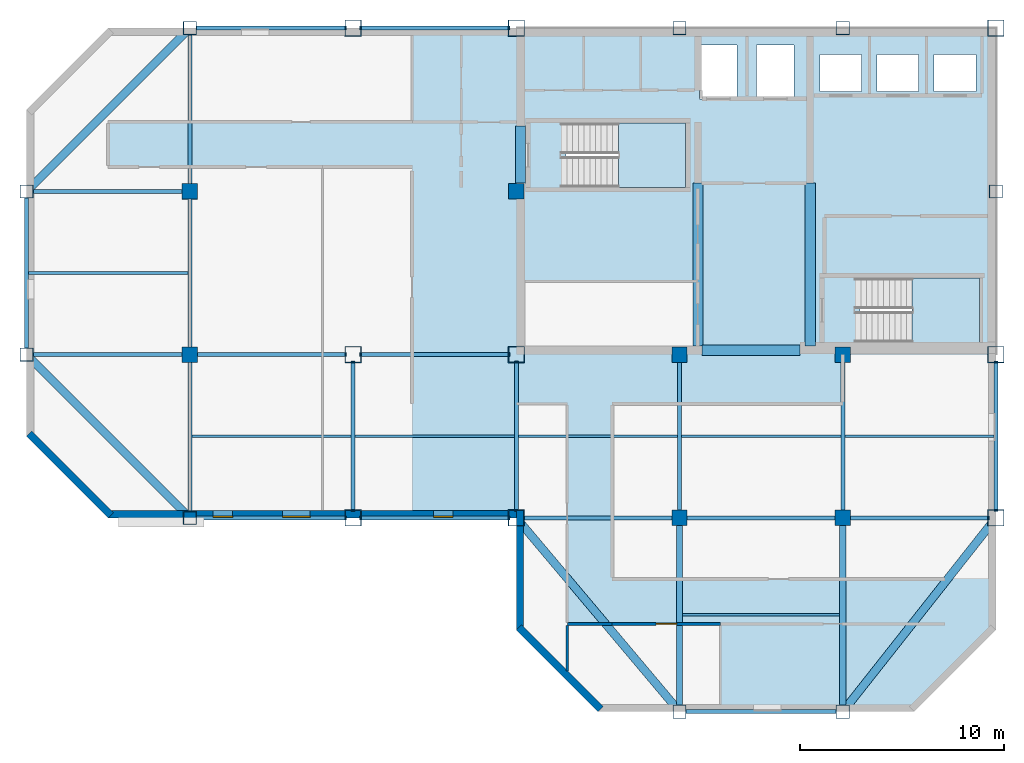
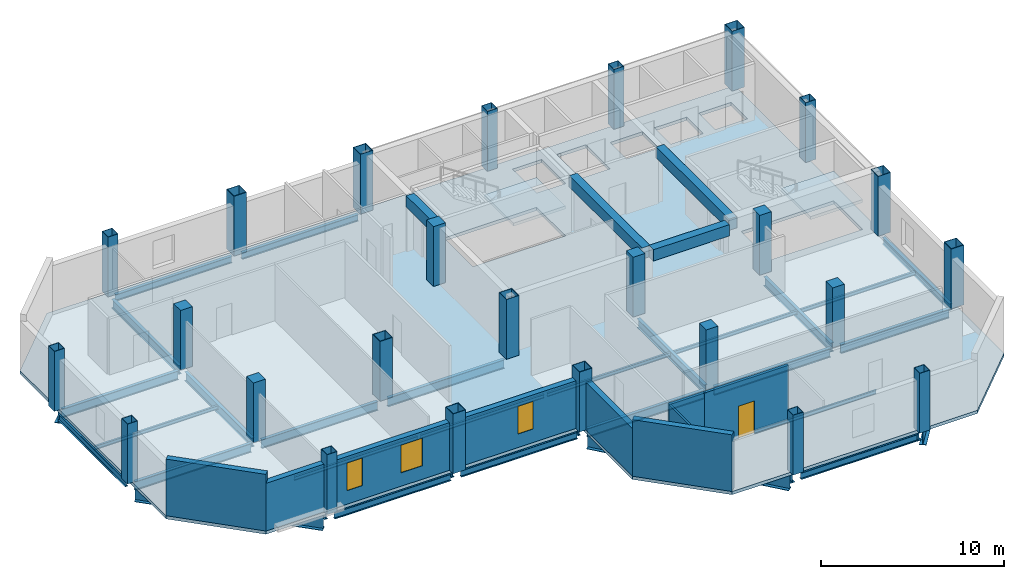
# One storey, part 1 of 6: 38 beams, 25 columns, 7 walls, 3 slabs, 3 windows, 1 door, 4 openings, 2 elements without a shape of their own.
"""IFC4 building model written with IfcOpenShell, lengths in metres."""

from ifc_helpers import new_model, si_unit, direction, frame, frame_2d, origin, origin_2d, place, context, subcontext, project, spatial, polyline, rectangle, hollow_rectangle, i_section, outline, extrude, material, layer, layer_set, material_profile, profile_set, type_object, element, fill, aggregate, save


model = new_model("IFC4")

# Units and contexts
model_context = context("Model", 3, precision=1e-05, world=origin(), true_north=direction((0.0, 1.0)))
body_context = subcontext(model_context, "Body", "Model", "MODEL_VIEW")
ifc_project = project(units=[si_unit("LENGTHUNIT", "METRE"), si_unit("AREAUNIT", "SQUARE_METRE"), si_unit("VOLUMEUNIT", "CUBIC_METRE"), si_unit("PLANEANGLEUNIT", "RADIAN"), si_unit("MASSUNIT", "GRAM", prefix="KILO")], contexts=[model_context])

# Site, building, storey
site_placement = place(None, origin())
site = spatial("IfcSite", under=ifc_project, at=site_placement, CompositionType="ELEMENT")
building_placement = place(site_placement, origin())
building = spatial("IfcBuilding", under=site, at=building_placement, Name="Qianrong Seaharbour Tower", CompositionType="ELEMENT")
storey_placement = place(building_placement, frame((0.0, 0.0, 319.199951171875)))
storey = spatial("IfcBuildingStorey", under=building, at=storey_placement, Name="L77", CompositionType="ELEMENT", Elevation=319.199951171875)

# Columns
ifc_material_1 = material(Name="Structural steel SN490B", Category="steel")
ifc_material_profile_1 = material_profile(ifc_material_1, hollow_rectangle(XDim=0.800048828125, YDim=0.800048828125, WallThickness=0.031982421875, at=origin_2d()), Name="BOX800x800x32")
ifc_profile_set_1 = profile_set([ifc_material_profile_1], Name="Structural steel SN490B")
column_type_1 = type_object("IfcColumnType", Name="COL-CFT-800", PredefinedType="COLUMN", material=ifc_profile_set_1)
for number, where, z_axis, x_axis, name in (
    (1, (32.5, 28.0, 0.0), (0.0, 0.0, 1.0), (1.0, 0.0, 0.0), "L77 Column MC-5 at G5/GE"),
    (2, (32.5, 36.0, 0.0), (0.0, 0.0, 1.0), (1.0, 0.0, 0.0), "L77 Column MC-5 at G5/GF"),
    (3, (32.5, 52.0, 0.0), (0.0, 0.0, 1.0), (1.0, 0.0, 0.0), "L77 Column MC-5 at G5/GH"),
    (4, (40.5, 28.0, 0.0), (0.0, 0.0, 1.0), (1.0, 0.0, 0.0), "L77 Column MC-5 at G6/GE"),
    (5, (40.5, 36.0, 0.0), (0.0, 0.0, 1.0), (1.0, 0.0, 0.0), "L77 Column MC-5 at G6/GF"),
    (6, (40.5, 52.0, 0.0), (0.0, 0.0, 1.0), (1.0, 0.0, 0.0), "L77 Column MC-5 at G6/GH"),
    (7, (64.0, 28.0, 0.0), (0.0, 0.0, 1.0), (1.0, 0.0, 0.0), "L77 Column MC-5 at G9/GE"),
    (8, (64.0, 36.0, 0.0), (0.0, 0.0, 1.0), (1.0, 0.0, 0.0), "L77 Column MC-5 at G9/GF"),
    (9, (64.0, 52.0, 0.0), (0.0, 0.0, 1.0), (1.0, 0.0, 0.0), "L77 Column MC-5 at G9/GH"),
):
    element("IfcColumn", number, at=place(storey_placement, frame(where, z_axis=z_axis, x_axis=x_axis)), inside=storey, type_object=column_type_1, Name=name, PredefinedType="COLUMN", context=body_context, shape_type="SweptSolid", body=[
        extrude(hollow_rectangle(XDim=0.800048828125, YDim=0.800048828125, WallThickness=0.031982421875, at=origin_2d()), origin(), (0.0, 0.0, 1.0), 4.0),
    ])
ifc_material_2 = material(Name="Concrete C50/60", Category="concrete")
ifc_material_profile_2 = material_profile(ifc_material_2, rectangle(XDim=0.75, YDim=0.75, at=origin_2d()), Name="RC750x750")
ifc_profile_set_2 = profile_set([ifc_material_profile_2], Name="Concrete C50/60")
column_type_2 = type_object("IfcColumnType", Name="COL-INT-RC750", PredefinedType="COLUMN", material=ifc_profile_set_2)
for number, where, z_axis, x_axis, name in (
    (10, (24.5, 36.0, 0.0), (0.0, 0.0, 1.0), (1.0, 0.0, 0.0), "L77 Column IC-4 at G4/GF"),
    (11, (24.5, 44.0, 0.0), (0.0, 0.0, 1.0), (1.0, 0.0, 0.0), "L77 Column IC-4 at G4/GG"),
    (12, (40.5, 44.0, 0.0), (0.0, 0.0, 1.0), (1.0, 0.0, 0.0), "L77 Column IC-4 at G6/GG"),
    (13, (48.5, 28.0, 0.0), (0.0, 0.0, 1.0), (1.0, 0.0, 0.0), "L77 Column IC-4 at G7/GE"),
    (14, (48.5, 36.0, 0.0), (0.0, 0.0, 1.0), (1.0, 0.0, 0.0), "L77 Column IC-4 at G7/GF"),
    (15, (56.5, 28.0, 0.0), (0.0, 0.0, 1.0), (1.0, 0.0, 0.0), "L77 Column IC-4 at G8/GE"),
    (16, (56.5, 36.0, 0.0), (0.0, 0.0, 1.0), (1.0, 0.0, 0.0), "L77 Column IC-4 at G8/GF"),
):
    element("IfcColumn", number, at=place(storey_placement, frame(where, z_axis=z_axis, x_axis=x_axis)), inside=storey, type_object=column_type_2, Name=name, PredefinedType="COLUMN", context=body_context, shape_type="SweptSolid", body=[
        extrude(rectangle(XDim=0.75, YDim=0.75, at=origin_2d()), origin(), (0.0, 0.0, 1.0), 4.0),
    ])
ifc_material_3 = material(Name="Structural steel SN400B", Category="steel")
ifc_material_profile_3 = material_profile(ifc_material_3, hollow_rectangle(XDim=0.64990234375, YDim=0.64990234375, WallThickness=0.028076171875, at=origin_2d()), Name="BOX650x650x28")
ifc_profile_set_3 = profile_set([ifc_material_profile_3], Name="Structural steel SN400B")
column_type_3 = type_object("IfcColumnType", Name="COL-PER-650", PredefinedType="COLUMN", material=ifc_profile_set_3)
for number, where, z_axis, x_axis, name in (
    (17, (16.5, 36.0, 0.0), (0.0, 0.0, 1.0), (1.0, 0.0, 0.0), "L77 Column PC-4 at G3/GF"),
    (18, (16.5, 44.0, 0.0), (0.0, 0.0, 1.0), (1.0, 0.0, 0.0), "L77 Column PC-4 at G3/GG"),
    (19, (24.5, 28.0, 0.0), (0.0, 0.0, 1.0), (1.0, 0.0, 0.0), "L77 Column PC-4 at G4/GE"),
    (20, (24.5, 52.0, 0.0), (0.0, 0.0, 1.0), (1.0, 0.0, 0.0), "L77 Column PC-4 at G4/GH"),
    (21, (48.5, 18.5, 0.0), (0.0, 0.0, 1.0), (1.0, 0.0, 0.0), "L77 Column PC-4 at G7/GD"),
    (22, (48.5, 52.0, 0.0), (0.0, 0.0, 1.0), (1.0, 0.0, 0.0), "L77 Column PC-4 at G7/GH"),
    (23, (56.5, 18.5, 0.0), (0.0, 0.0, 1.0), (1.0, 0.0, 0.0), "L77 Column PC-4 at G8/GD"),
    (24, (56.5, 52.0, 0.0), (0.0, 0.0, 1.0), (1.0, 0.0, 0.0), "L77 Column PC-4 at G8/GH"),
    (25, (64.0, 44.0, 0.0), (0.0, 0.0, 1.0), (1.0, 0.0, 0.0), "L77 Column PC-4 at G9/GG"),
):
    element("IfcColumn", number, at=place(storey_placement, frame(where, z_axis=z_axis, x_axis=x_axis)), inside=storey, type_object=column_type_3, Name=name, PredefinedType="COLUMN", context=body_context, shape_type="SweptSolid", body=[
        extrude(hollow_rectangle(XDim=0.64990234375, YDim=0.64990234375, WallThickness=0.028076171875, at=origin_2d()), origin(), (0.0, 0.0, 1.0), 4.0),
    ])

# Beams
ifc_material_profile_4 = material_profile(ifc_material_1, i_section(OverallWidth=0.199951171875, OverallDepth=0.60009765625, WebThickness=0.010986328125, FlangeThickness=0.01708984375, FilletRadius=0.02197265625, at=origin_2d()), Name="H600x200x11x17")
ifc_profile_set_4 = profile_set([ifc_material_profile_4], Name="Structural steel SN490B")
beam_type_1 = type_object("IfcBeamType", Name="BM-G-600", PredefinedType="BEAM", material=ifc_profile_set_4)
for number, where, z_axis, x_axis, name in (
    (26, (40.820068359375, 28.0, -0.514892578125), (1.0, 0.0, 0.0), (0.0, 1.0, 0.0), "L77 Primary Girder GE G6-G7"),
    (27, (48.820068359375, 28.0, -0.514892578125), (1.0, 0.0, 0.0), (0.0, 1.0, 0.0), "L77 Primary Girder GE G7-G8"),
):
    element("IfcBeam", number, at=place(storey_placement, frame(where, z_axis=z_axis, x_axis=x_axis)), inside=storey, type_object=beam_type_1, Name=name, PredefinedType="BEAM", context=body_context, shape_type="SweptSolid", body=[
        extrude(i_section(OverallWidth=0.199951171875, OverallDepth=0.60009765625, WebThickness=0.010986328125, FlangeThickness=0.01708984375, FilletRadius=0.02197265625, at=origin_2d()), origin(), (0.0, 0.0, 1.0), 7.35986328125),
    ])
beam_1_placement = place(storey_placement, frame((56.820068359375, 28.0, -0.514892578125), z_axis=(1.0, 0.0, 0.0), x_axis=(0.0, 1.0, 0.0)))
element("IfcBeam", 28, at=beam_1_placement, inside=storey, type_object=beam_type_1, Name="L77 Primary Girder GE G8-G9", PredefinedType="BEAM", context=body_context, shape_type="SweptSolid", body=[
    extrude(i_section(OverallWidth=0.199951171875, OverallDepth=0.60009765625, WebThickness=0.010986328125, FlangeThickness=0.01708984375, FilletRadius=0.02197265625, at=origin_2d()), origin(), (0.0, 0.0, 1.0), 6.85986328125),
])
for number, where, z_axis, x_axis, name in (
    (29, (16.820068359375, 36.0, -0.514892578125), (1.0, 0.0, 0.0), (0.0, 1.0, 0.0), "L77 Primary Girder GF G3-G4"),
    (30, (24.820068359375, 36.0, -0.514892578125), (1.0, 0.0, 0.0), (0.0, 1.0, 0.0), "L77 Primary Girder GF G4-G5"),
    (31, (32.820068359375, 36.0, -0.514892578125), (1.0, 0.0, 0.0), (0.0, 1.0, 0.0), "L77 Primary Girder GF G5-G6"),
    (32, (16.820068359375, 44.0, -0.514892578125), (1.0, 0.0, 0.0), (0.0, 1.0, 0.0), "L77 Primary Girder GG G3-G4"),
    (33, (24.5, 28.320068359375, -0.514892578125), (0.0, 1.0, 0.0), (-1.0, 0.0, 0.0), "L77 Primary Girder G4 GE-GF"),
    (34, (24.5, 36.320068359375, -0.514892578125), (0.0, 1.0, 0.0), (-1.0, 0.0, 0.0), "L77 Primary Girder G4 GF-GG"),
    (35, (24.5, 44.320068359375, -0.514892578125), (0.0, 1.0, 0.0), (-1.0, 0.0, 0.0), "L77 Primary Girder G4 GG-GH"),
    (36, (32.5, 28.320068359375, -0.514892578125), (0.0, 1.0, 0.0), (-1.0, 0.0, 0.0), "L77 Primary Girder G5 GE-GF"),
    (37, (40.5, 28.320068359375, -0.514892578125), (0.0, 1.0, 0.0), (-1.0, 0.0, 0.0), "L77 Primary Girder G6 GE-GF"),
    (38, (48.5, 28.320068359375, -0.514892578125), (0.0, 1.0, 0.0), (-1.0, 0.0, 0.0), "L77 Primary Girder G7 GE-GF"),
    (39, (56.5, 28.320068359375, -0.514892578125), (0.0, 1.0, 0.0), (-1.0, 0.0, 0.0), "L77 Primary Girder G8 GE-GF"),
):
    element("IfcBeam", number, at=place(storey_placement, frame(where, z_axis=z_axis, x_axis=x_axis)), inside=storey, type_object=beam_type_1, Name=name, PredefinedType="BEAM", context=body_context, shape_type="SweptSolid", body=[
        extrude(i_section(OverallWidth=0.199951171875, OverallDepth=0.60009765625, WebThickness=0.010986328125, FlangeThickness=0.01708984375, FilletRadius=0.02197265625, at=origin_2d()), origin(), (0.0, 0.0, 1.0), 7.35986328125),
    ])
ifc_material_profile_5 = material_profile(ifc_material_1, i_section(OverallWidth=0.300048828125, OverallDepth=0.800048828125, WebThickness=0.013916015625, FlangeThickness=0.02587890625, FilletRadius=0.028076171875, at=origin_2d()), Name="H800x300x14x26")
ifc_profile_set_5 = profile_set([ifc_material_profile_5], Name="Structural steel SN490B")
beam_type_2 = type_object("IfcBeamType", Name="BM-G-800", PredefinedType="BEAM", material=ifc_profile_set_5)
for number, where, z_axis, x_axis, name in (
    (40, (48.5, 18.820068359375, -0.614990234375), (0.0, 1.0, 0.0), (-1.0, 0.0, 0.0), "L77 Primary Girder G7 GD-GE"),
    (41, (56.5, 18.820068359375, -0.614990234375), (0.0, 1.0, 0.0), (-1.0, 0.0, 0.0), "L77 Primary Girder G8 GD-GE"),
):
    element("IfcBeam", number, at=place(storey_placement, frame(where, z_axis=z_axis, x_axis=x_axis)), inside=storey, type_object=beam_type_2, Name=name, PredefinedType="BEAM", context=body_context, shape_type="SweptSolid", body=[
        extrude(i_section(OverallWidth=0.300048828125, OverallDepth=0.800048828125, WebThickness=0.013916015625, FlangeThickness=0.02587890625, FilletRadius=0.028076171875, at=origin_2d()), origin(), (0.0, 0.0, 1.0), 8.85986328125),
    ])
ifc_material_profile_6 = material_profile(ifc_material_3, i_section(OverallWidth=0.125, OverallDepth=0.25, WebThickness=0.006103515625, FlangeThickness=0.009033203125, FilletRadius=0.011962890625, at=origin_2d()), Name="H250x125x6x9")
ifc_profile_set_6 = profile_set([ifc_material_profile_6], Name="Structural steel SN400B")
beam_type_3 = type_object("IfcBeamType", Name="BM-J-250", PredefinedType="JOIST", material=ifc_profile_set_6)
for number, where, z_axis, x_axis, name in (
    (42, (16.60009765625, 40.0, -0.33984375), (1.0, 0.0, 0.0), (0.0, 1.0, 0.0), "L77 Composite Floor Joist G3-G4/GF-GG"),
    (43, (24.60009765625, 32.0, -0.33984375), (1.0, 0.0, 0.0), (0.0, 1.0, 0.0), "L77 Composite Floor Joist G4-G5/GE-GF"),
    (44, (32.60009765625, 32.0, -0.33984375), (1.0, 0.0, 0.0), (0.0, 1.0, 0.0), "L77 Composite Floor Joist G5-G6/GE-GF"),
    (45, (40.60009765625, 32.0, -0.33984375), (1.0, 0.0, 0.0), (0.0, 1.0, 0.0), "L77 Composite Floor Joist G6-G7/GE-GF"),
):
    element("IfcBeam", number, at=place(storey_placement, frame(where, z_axis=z_axis, x_axis=x_axis)), inside=storey, type_object=beam_type_3, Name=name, PredefinedType="JOIST", context=body_context, shape_type="SweptSolid", body=[
        extrude(i_section(OverallWidth=0.125, OverallDepth=0.25, WebThickness=0.006103515625, FlangeThickness=0.009033203125, FilletRadius=0.011962890625, at=origin_2d()), origin(), (0.0, 0.0, 1.0), 7.7998046875),
    ])
beam_2_placement = place(storey_placement, frame((48.64990234375, 23.25, -0.33984375), z_axis=(1.0, 0.0, 0.0), x_axis=(0.0, 1.0, 0.0)))
element("IfcBeam", 46, at=beam_2_placement, inside=storey, type_object=beam_type_3, Name="L77 Composite Floor Joist G7-G8/GD-GE", PredefinedType="JOIST", context=body_context, shape_type="SweptSolid", body=[
    extrude(i_section(OverallWidth=0.125, OverallDepth=0.25, WebThickness=0.006103515625, FlangeThickness=0.009033203125, FilletRadius=0.011962890625, at=origin_2d()), origin(), (0.0, 0.0, 1.0), 7.7001953125),
])
beam_3_placement = place(storey_placement, frame((48.60009765625, 32.0, -0.33984375), z_axis=(1.0, 0.0, 0.0), x_axis=(0.0, 1.0, 0.0)))
element("IfcBeam", 47, at=beam_3_placement, inside=storey, type_object=beam_type_3, Name="L77 Composite Floor Joist G7-G8/GE-GF", PredefinedType="JOIST", context=body_context, shape_type="SweptSolid", body=[
    extrude(i_section(OverallWidth=0.125, OverallDepth=0.25, WebThickness=0.006103515625, FlangeThickness=0.009033203125, FilletRadius=0.011962890625, at=origin_2d()), origin(), (0.0, 0.0, 1.0), 7.7998046875),
])
beam_4_placement = place(storey_placement, frame((56.60009765625, 32.0, -0.33984375), z_axis=(1.0, 0.0, 0.0), x_axis=(0.0, 1.0, 0.0)))
element("IfcBeam", 48, at=beam_4_placement, inside=storey, type_object=beam_type_3, Name="L77 Composite Floor Joist G8-G9/GE-GF", PredefinedType="JOIST", context=body_context, shape_type="SweptSolid", body=[
    extrude(i_section(OverallWidth=0.125, OverallDepth=0.25, WebThickness=0.006103515625, FlangeThickness=0.009033203125, FilletRadius=0.011962890625, at=origin_2d()), origin(), (0.0, 0.0, 1.0), 7.2998046875),
])
ifc_material_4 = material(Name="Concrete C60/75", Category="concrete")
ifc_material_profile_7 = material_profile(ifc_material_4, rectangle(XDim=0.5, YDim=0.75, at=origin_2d()), Name="RC500x750")
ifc_profile_set_7 = profile_set([ifc_material_profile_7], Name="Concrete C60/75")
beam_type_4 = type_object("IfcBeamType", Name="BM-LINTEL-750", PredefinedType="LINTEL", material=ifc_profile_set_7)
beam_5_placement = place(storey_placement, frame((40.7099609375, 44.39990234375, 3.41015625), z_axis=(0.0, 1.0, 0.0), x_axis=(-1.0, 0.0, 0.0)))
element("IfcBeam", 49, at=beam_5_placement, inside=storey, type_object=beam_type_4, Name="L77 Core Coupling Lintel Beam West", PredefinedType="LINTEL", context=body_context, shape_type="SweptSolid", body=[
    extrude(rectangle(XDim=0.5, YDim=0.75, at=origin_2d()), origin(), (0.0, 0.0, 1.0), 2.800048828125),
])
beam_6_placement = place(storey_placement, frame((49.60009765625, 36.2099609375, 3.41015625), z_axis=(1.0, 0.0, 0.0), x_axis=(0.0, 1.0, 0.0)))
element("IfcBeam", 50, at=beam_6_placement, inside=storey, type_object=beam_type_4, Name="L77 Core Coupling Lintel Beam CBC", PredefinedType="LINTEL", context=body_context, shape_type="SweptSolid", body=[
    extrude(rectangle(XDim=0.5, YDim=0.75, at=origin_2d()), origin(), (0.0, 0.0, 1.0), 4.7998046875),
])
for number, where, z_axis, x_axis, name in (
    (51, (49.39990234375, 36.419921875, 3.41015625), (0.0, 1.0, 0.0), (-1.0, 0.0, 0.0), "L77 Internal Core Coupling Beam IW1"),
    (52, (54.89990234375, 36.419921875, 3.41015625), (0.0, 1.0, 0.0), (-1.0, 0.0, 0.0), "L77 Internal Core Coupling Beam IW2"),
):
    element("IfcBeam", number, at=place(storey_placement, frame(where, z_axis=z_axis, x_axis=x_axis)), inside=storey, type_object=beam_type_4, Name=name, PredefinedType="LINTEL", context=body_context, shape_type="SweptSolid", body=[
        extrude(rectangle(XDim=0.5, YDim=0.75, at=origin_2d()), origin(), (0.0, 0.0, 1.0), 7.97998046875),
    ])
ifc_material_profile_8 = material_profile(ifc_material_3, i_section(OverallWidth=0.199951171875, OverallDepth=0.449951171875, WebThickness=0.009033203125, FlangeThickness=0.013916015625, FilletRadius=0.01806640625, at=origin_2d()), Name="H450x200x9x14")
ifc_profile_set_8 = profile_set([ifc_material_profile_8], Name="Structural steel SN400B")
beam_type_5 = type_object("IfcBeamType", Name="BM-SP-450", PredefinedType="SPANDREL", material=ifc_profile_set_8)
for number, where, z_axis, x_axis, name in (
    (53, (48.820068359375, 18.5, -0.43994140625), (1.0, 0.0, 0.0), (0.0, 1.0, 0.0), "L77 Spandrel Girder GD G7-G8"),
    (54, (24.820068359375, 28.0, -0.43994140625), (1.0, 0.0, 0.0), (0.0, 1.0, 0.0), "L77 Spandrel Girder GE G4-G5"),
    (55, (32.820068359375, 28.0, -0.43994140625), (1.0, 0.0, 0.0), (0.0, 1.0, 0.0), "L77 Spandrel Girder GE G5-G6"),
    (56, (24.820068359375, 52.0, -0.43994140625), (1.0, 0.0, 0.0), (0.0, 1.0, 0.0), "L77 Spandrel Girder GH G4-G5"),
    (57, (32.820068359375, 52.0, -0.43994140625), (1.0, 0.0, 0.0), (0.0, 1.0, 0.0), "L77 Spandrel Girder GH G5-G6"),
    (58, (16.5, 36.320068359375, -0.43994140625), (0.0, 1.0, 0.0), (-1.0, 0.0, 0.0), "L77 Spandrel Girder G3 GF-GG"),
    (59, (64.0, 28.320068359375, -0.43994140625), (0.0, 1.0, 0.0), (-1.0, 0.0, 0.0), "L77 Spandrel Girder G9 GE-GF"),
):
    element("IfcBeam", number, at=place(storey_placement, frame(where, z_axis=z_axis, x_axis=x_axis)), inside=storey, type_object=beam_type_5, Name=name, PredefinedType="SPANDREL", context=body_context, shape_type="SweptSolid", body=[
        extrude(i_section(OverallWidth=0.199951171875, OverallDepth=0.449951171875, WebThickness=0.009033203125, FlangeThickness=0.013916015625, FilletRadius=0.01806640625, at=origin_2d()), origin(), (0.0, 0.0, 1.0), 7.35986328125),
    ])
ifc_material_profile_9 = material_profile(ifc_material_1, i_section(OverallWidth=0.39990234375, OverallDepth=1.10009765625, WebThickness=0.02001953125, FlangeThickness=0.035888671875, at=origin_2d()), Name="BH1100x400x20x36")
ifc_profile_set_9 = profile_set([ifc_material_profile_9], Name="Structural steel SN490B")
beam_type_6 = type_object("IfcBeamType", Name="BM-TG-1100", PredefinedType="BEAM", material=ifc_profile_set_9)
for number, where, z_axis, x_axis, name in (
    (60, (24.273681640625, 28.226318359375, -0.764892578125), (-0.707106781187, 0.707106781187, 0.0), (-0.707106781187, -0.707106781187, 0.0), "L77 Chamfer Corner Spandrel Girder G3/GE"),
    (61, (24.273681640625, 51.773681640625, -0.764892578125), (-0.707106781187, -0.707106781187, 0.0), (0.707106781187, -0.707106781187, 0.0), "L77 Chamfer Corner Spandrel Girder G3/GH"),
):
    element("IfcBeam", number, at=place(storey_placement, frame(where, z_axis=z_axis, x_axis=x_axis)), inside=storey, type_object=beam_type_6, Name=name, PredefinedType="BEAM", context=body_context, shape_type="SweptSolid", body=[
        extrude(i_section(OverallWidth=0.39990234375, OverallDepth=1.10009765625, WebThickness=0.02001953125, FlangeThickness=0.035888671875, at=origin_2d()), origin(), (0.0, 0.0, 1.0), 10.673583984375),
    ])
beam_7_placement = place(storey_placement, frame((48.2939453125, 18.744873046875, -0.764892578125), z_axis=(-0.644151063101, 0.764898299061, 0.0), x_axis=(-0.764898299061, -0.644151063101, 0.0)))
element("IfcBeam", 62, at=beam_7_placement, inside=storey, type_object=beam_type_6, Name="L77 Chamfer Corner Spandrel Girder G6/GD", PredefinedType="BEAM", context=body_context, shape_type="SweptSolid", body=[
    extrude(i_section(OverallWidth=0.39990234375, OverallDepth=1.10009765625, WebThickness=0.02001953125, FlangeThickness=0.035888671875, at=origin_2d()), origin(), (0.0, 0.0, 1.0), 11.77978515625),
])
beam_8_placement = place(storey_placement, frame((56.6982421875, 18.751220703125, -0.764892578125), z_axis=(0.619653955715, 0.784875133487, 0.0), x_axis=(-0.784875133487, 0.619653955715, 0.0)))
element("IfcBeam", 63, at=beam_8_placement, inside=storey, type_object=beam_type_6, Name="L77 Chamfer Corner Spandrel Girder G9/GD", PredefinedType="BEAM", context=body_context, shape_type="SweptSolid", body=[
    extrude(i_section(OverallWidth=0.39990234375, OverallDepth=1.10009765625, WebThickness=0.02001953125, FlangeThickness=0.035888671875, at=origin_2d()), origin(), (0.0, 0.0, 1.0), 11.463623046875),
])

# Stair, slab
stair_type = type_object("IfcStairType", Name="STAIR-DOGLEG-1500-R22", PredefinedType="HALF_TURN_STAIR", material=ifc_material_2)
stair_1_placement = place(storey_placement, origin())
stair_1 = element("IfcStair", 64, at=stair_1_placement, inside=storey, type_object=stair_type, Name="L77 Protected Escape Stair ST-1", PredefinedType="HALF_TURN_STAIR")
ifc_layer_1 = layer(ifc_material_2, 0.199951171875)
ifc_layer_set_1 = layer_set([ifc_layer_1], Name="Concrete C50/60")
slab_type_1 = type_object("IfcSlabType", Name="SLAB-STAIR-LANDING-200", PredefinedType="LANDING", material=ifc_layer_set_1)
slab_1_placement = place(storey_placement, frame((0.0, 0.0, 1.800048828125)))
slab_1 = element("IfcSlab", 65, at=slab_1_placement, type_object=slab_type_1, Name="ST-1 landing 1", PredefinedType="LANDING", context=body_context, shape_type="SweptSolid", body=[
    extrude(outline(polyline([(45.5, 44.199951171875), (48.800048828125, 44.199951171875), (48.800048828125, 47.35009765625), (45.5, 47.35009765625), (45.5, 44.199951171875)])), origin(), (0.0, 0.0, 1.0), 0.199951171875),
])
aggregate(stair_1, [slab_1])

stair_2_placement = place(storey_placement, origin())
stair_2 = element("IfcStair", 66, at=stair_2_placement, inside=storey, type_object=stair_type, Name="L77 Protected Escape Stair ST-2", PredefinedType="HALF_TURN_STAIR")
slab_2_placement = place(storey_placement, frame((0.0, 0.0, 1.800048828125)))
slab_2 = element("IfcSlab", 67, at=slab_2_placement, type_object=slab_type_1, Name="ST-2 landing 1", PredefinedType="LANDING", context=body_context, shape_type="SweptSolid", body=[
    extrude(outline(polyline([(59.89990234375, 36.60009765625), (63.199951171875, 36.60009765625), (63.199951171875, 39.75), (59.89990234375, 39.75), (59.89990234375, 36.60009765625)])), origin(), (0.0, 0.0, 1.0), 0.199951171875),
])
aggregate(stair_2, [slab_2])

# Slab
ifc_layer_2 = layer(ifc_material_2, 0.215087890625)
ifc_layer_set_2 = layer_set([ifc_layer_2], Name="Concrete C50/60")
slab_type_2 = type_object("IfcSlabType", Name="SLAB-Z4-215", PredefinedType="FLOOR", material=ifc_layer_set_2)
slab_3_placement = place(storey_placement, frame((0.0, 0.0, -0.21484375)))
element("IfcSlab", 68, at=slab_3_placement, inside=storey, type_object=slab_type_2, Name="L77 Structural Floor Slab", PredefinedType="FLOOR", context=body_context, shape_type="SweptSolid", body=[
    extrude(outline(polyline([(44.5, 18.5), (60.0, 18.5), (64.0, 22.5), (64.0, 52.0), (20.5, 52.0), (16.5, 48.0), (16.5, 32.0), (20.5, 28.0), (40.5, 28.0), (40.5, 22.5), (44.5, 18.5)]), holes=[polyline([(42.93994140625, 44.199951171875), (42.93994140625, 47.35009765625), (48.800048828125, 47.35009765625), (48.800048828125, 44.199951171875), (42.93994140625, 44.199951171875)]), polyline([(57.340087890625, 36.60009765625), (57.340087890625, 39.75), (63.199951171875, 39.75), (63.199951171875, 36.60009765625), (57.340087890625, 36.60009765625)]), polyline([(49.47998046875, 48.530029296875), (49.47998046875, 51.169921875), (51.320068359375, 51.169921875), (51.320068359375, 48.530029296875), (49.47998046875, 48.530029296875)]), polyline([(52.280029296875, 48.530029296875), (52.280029296875, 51.169921875), (54.1201171875, 51.169921875), (54.1201171875, 48.530029296875), (52.280029296875, 48.530029296875)]), polyline([(55.3798828125, 48.89990234375), (55.3798828125, 50.699951171875), (57.419921875, 50.699951171875), (57.419921875, 48.89990234375), (55.3798828125, 48.89990234375)]), polyline([(58.179931640625, 48.89990234375), (58.179931640625, 50.699951171875), (60.219970703125, 50.699951171875), (60.219970703125, 48.89990234375), (58.179931640625, 48.89990234375)]), polyline([(60.97998046875, 48.89990234375), (60.97998046875, 50.699951171875), (63.02001953125, 50.699951171875), (63.02001953125, 48.89990234375), (60.97998046875, 48.89990234375)])]), origin(), (0.0, 0.0, 1.0), 0.21484375),
])

# Wall
ifc_material_5 = material(Name="Fire-rated acoustic gypsum board partition")
ifc_layer_3 = layer(ifc_material_5, 0.1650390625)
ifc_layer_set_3 = layer_set([ifc_layer_3], Name="Fire-rated acoustic gypsum board partition")
wall_type_1 = type_object("IfcWallType", Name="WALL-CORR-PART-165", PredefinedType="PARTITIONING", material=ifc_layer_set_3)
wall_1_placement = place(storey_placement, frame((45.199951171875, 22.800048828125, 0.0), z_axis=(0.0, 0.0, 1.0), x_axis=(-1.0, 0.0, 0.0)))
element("IfcWall", 69, at=wall_1_placement, inside=storey, type_object=wall_type_1, Name="L77 Interior Partition Wall 030", PredefinedType="PARTITIONING", context=body_context, shape_type="SweptSolid", body=[
    extrude(rectangle(XDim=2.199951171875, YDim=0.1650390625, at=frame_2d((1.10009765625, 0.0))), origin(), (0.0, 0.0, 1.0), 3.78515625),
])

# Wall, opening, door
wall_2_placement = place(storey_placement, frame((50.5, 22.800048828125, 0.0), z_axis=(0.0, 0.0, 1.0), x_axis=(-1.0, 0.0, 0.0)))
wall_2 = element("IfcWall", 70, at=wall_2_placement, inside=storey, type_object=wall_type_1, Name="L77 Interior Partition Wall 032", PredefinedType="PARTITIONING", context=body_context, shape_type="SweptSolid", body=[
    extrude(rectangle(XDim=5.300048828125, YDim=0.1650390625, at=frame_2d((2.64990234375, 0.0))), origin(), (0.0, 0.0, 1.0), 3.78515625),
])
opening_1_placement = place(wall_2_placement, frame((2.14990234375, 0.0, 0.0)))
opening_1 = element("IfcOpeningElement", 71, at=opening_1_placement, cuts=wall_2, Name="Opening DO-01", PredefinedType="OPENING", context=body_context, shape_type="SweptSolid", body=[
    extrude(rectangle(XDim=1.0, YDim=2.14990234375, at=frame_2d((0.5, 1.074951171875))), frame((0.0, 0.092529296875, 0.0), z_axis=(0.0, -1.0, 0.0), x_axis=(1.0, 0.0, 0.0)), (0.0, 0.0, 1.0), 0.18505859375),
])
ifc_material_6 = material(Name="Acoustic timber and galvanized steel fire door assembly", Category="steel")
door_type = type_object("IfcDoorType", Name="DOOR-OFFICE-1000x2150", OperationType="NOTDEFINED", PredefinedType="DOOR", material=ifc_material_6)
door_placement = place(opening_1_placement, origin())
door = element("IfcDoor", 72, at=door_placement, inside=storey, type_object=door_type, Name="L77 Harbour Symposium Hall 1 Door", OperationType="SINGLE_SWING_RIGHT", OverallHeight=2.14990234375, OverallWidth=1.0, PredefinedType="DOOR", context=body_context, shape_type="SweptSolid", body=[
    extrude(rectangle(XDim=1.0, YDim=2.14990234375, at=frame_2d((0.5, 1.074951171875))), frame((0.0, 0.02490234375, 0.0), z_axis=(0.0, -1.0, 0.0), x_axis=(1.0, 0.0, 0.0)), (0.0, 0.0, 1.0), 0.050048828125),
])
fill(opening_1, door)

# Wall
ifc_material_7 = material(Name="Unitised red brick on Precast concrete C45/55", Category="masonry")
ifc_layer_4 = layer(ifc_material_7, 0.360107421875)
ifc_layer_set_4 = layer_set([ifc_layer_4], Name="Unitised red brick on Precast concrete C45/55")
wall_type_2 = type_object("IfcWallType", Name="WALL-EXT-BRICK-RED-360", PredefinedType="SOLIDWALL", material=ifc_layer_set_4)
wall_3_placement = place(storey_placement, frame((40.679931640625, 22.5, 0.0), z_axis=(0.0, 0.0, 1.0), x_axis=(0.0, 1.0, 0.0)))
element("IfcWall", 73, at=wall_3_placement, inside=storey, type_object=wall_type_2, Name="L77 Exterior Masonry Facade Wall REENTRANT_WEST", PredefinedType="SOLIDWALL", context=body_context, shape_type="SweptSolid", body=[
    extrude(rectangle(XDim=5.860107421875, YDim=0.360107421875, at=frame_2d((2.93017578125, 0.0))), origin(), (0.0, 0.0, 1.0), 3.18505859375),
])

# Wall, openings, windows
wall_4_placement = place(storey_placement, frame((40.52001953125, 28.179931640625, 0.0), z_axis=(0.0, 0.0, 1.0), x_axis=(-1.0, 0.0, 0.0)))
wall_4 = element("IfcWall", 74, at=wall_4_placement, inside=storey, type_object=wall_type_2, Name="L77 Exterior Masonry Facade Wall HARBOUR_RIBBON", PredefinedType="SOLIDWALL", context=body_context, shape_type="SweptSolid", body=[
    extrude(rectangle(XDim=20.02001953125, YDim=0.360107421875, at=frame_2d((10.010009765625, 0.0))), origin(), (0.0, 0.0, 1.0), 3.18505859375),
])
opening_2_placement = place(wall_4_placement, frame((3.125, 0.0, 0.89990234375)))
opening_2 = element("IfcOpeningElement", 75, at=opening_2_placement, cuts=wall_4, Name="Opening WN-13", PredefinedType="OPENING", context=body_context, shape_type="SweptSolid", body=[
    extrude(rectangle(XDim=0.949951171875, YDim=1.85009765625, at=frame_2d((0.47509765625, 0.925048828125))), frame((0.0, 0.18994140625, 0.0), z_axis=(0.0, -1.0, 0.0), x_axis=(1.0, 0.0, 0.0)), (0.0, 0.0, 1.0), 0.380126953125),
])
opening_3_placement = place(wall_4_placement, frame((10.125, 0.0, 0.89990234375)))
opening_3 = element("IfcOpeningElement", 76, at=opening_3_placement, cuts=wall_4, Name="Opening WN-02", PredefinedType="OPENING", context=body_context, shape_type="SweptSolid", body=[
    extrude(rectangle(XDim=1.35009765625, YDim=1.85009765625, at=frame_2d((0.675048828125, 0.925048828125))), frame((0.0, 0.18994140625, 0.0), z_axis=(0.0, -1.0, 0.0), x_axis=(1.0, 0.0, 0.0)), (0.0, 0.0, 1.0), 0.380126953125),
])
opening_4_placement = place(wall_4_placement, frame((13.925048828125, 0.0, 0.89990234375)))
opening_4 = element("IfcOpeningElement", 77, at=opening_4_placement, cuts=wall_4, Name="Opening WN-13", PredefinedType="OPENING", context=body_context, shape_type="SweptSolid", body=[
    extrude(rectangle(XDim=0.949951171875, YDim=1.85009765625, at=frame_2d((0.47509765625, 0.925048828125))), frame((0.0, 0.18994140625, 0.0), z_axis=(0.0, -1.0, 0.0), x_axis=(1.0, 0.0, 0.0)), (0.0, 0.0, 1.0), 0.380126953125),
])
ifc_material_8 = material(Name="Insulated low-e double glazing in thermally broken aluminium 6063-T6 frame", Category="aluminium")
window_type_1 = type_object("IfcWindowType", Name="WIN-NARROW-950x1850", PartitioningType="SINGLE_PANEL", PredefinedType="WINDOW", material=ifc_material_8)
window_1_placement = place(opening_2_placement, origin())
window_1 = element("IfcWindow", 78, at=window_1_placement, inside=storey, type_object=window_type_1, Name="L77 Deep-Set Punched Window 01.01", OverallHeight=1.85009765625, OverallWidth=0.949951171875, PartitioningType="SINGLE_PANEL", PredefinedType="WINDOW", context=body_context, shape_type="SweptSolid", body=[
    extrude(rectangle(XDim=0.949951171875, YDim=1.85009765625, at=frame_2d((0.47509765625, 0.925048828125))), frame((0.0, 0.150146484375, 0.0), z_axis=(0.0, -1.0, 0.0), x_axis=(1.0, 0.0, 0.0)), (0.0, 0.0, 1.0), 0.06005859375),
])
fill(opening_2, window_1)
window_2_placement = place(opening_4_placement, origin())
window_2 = element("IfcWindow", 79, at=window_2_placement, inside=storey, type_object=window_type_1, Name="L77 Deep-Set Punched Window 01.04", OverallHeight=1.85009765625, OverallWidth=0.949951171875, PartitioningType="SINGLE_PANEL", PredefinedType="WINDOW", context=body_context, shape_type="SweptSolid", body=[
    extrude(rectangle(XDim=0.949951171875, YDim=1.85009765625, at=frame_2d((0.47509765625, 0.925048828125))), frame((0.0, 0.150146484375, 0.0), z_axis=(0.0, -1.0, 0.0), x_axis=(1.0, 0.0, 0.0)), (0.0, 0.0, 1.0), 0.06005859375),
])
fill(opening_4, window_2)
window_type_2 = type_object("IfcWindowType", Name="WIN-PUNCH-1350x1850", PartitioningType="DOUBLE_PANEL_VERTICAL", PredefinedType="WINDOW", material=ifc_material_8)
window_3_placement = place(opening_3_placement, origin())
window_3 = element("IfcWindow", 80, at=window_3_placement, inside=storey, type_object=window_type_2, Name="L77 Deep-Set Punched Window 01.03", OverallHeight=1.85009765625, OverallWidth=1.35009765625, PartitioningType="DOUBLE_PANEL_VERTICAL", PredefinedType="WINDOW", context=body_context, shape_type="SweptSolid", body=[
    extrude(rectangle(XDim=1.35009765625, YDim=1.85009765625, at=frame_2d((0.675048828125, 0.925048828125))), frame((0.0, 0.150146484375, 0.0), z_axis=(0.0, -1.0, 0.0), x_axis=(1.0, 0.0, 0.0)), (0.0, 0.0, 1.0), 0.06005859375),
])
fill(opening_3, window_3)

# Walls
for number, where, z_axis, x_axis, name in (
    (81, (20.627197265625, 28.127197265625, 0.0), (0.0, 0.0, 1.0), (-0.707106781187, 0.707106781187, 0.0), "L77 Exterior Masonry Facade Wall E02"),
    (82, (44.627197265625, 18.627197265625, 0.0), (0.0, 0.0, 1.0), (-0.707106781187, 0.707106781187, 0.0), "L77 Exterior Masonry Facade Wall E09"),
):
    element("IfcWall", number, at=place(storey_placement, frame(where, z_axis=z_axis, x_axis=x_axis)), inside=storey, type_object=wall_type_2, Name=name, PredefinedType="SOLIDWALL", context=body_context, shape_type="SweptSolid", body=[
        extrude(rectangle(XDim=5.65673828125, YDim=0.360107421875, at=frame_2d((2.828369140625, 0.0))), origin(), (0.0, 0.0, 1.0), 3.78515625),
    ])
ifc_material_9 = material(Name="Water-resistant cement board sanitary partition")
ifc_layer_5 = layer(ifc_material_9, 0.1298828125)
ifc_layer_set_5 = layer_set([ifc_layer_5], Name="Water-resistant cement board sanitary partition")
wall_type_3 = type_object("IfcWallType", Name="WALL-WET-PART-130", PredefinedType="PARTITIONING", material=ifc_layer_set_5)
wall_5_placement = place(storey_placement, frame((43.0, 22.7255859375, 0.0), z_axis=(0.0, 0.0, 1.0), x_axis=(0.0, -1.0, 0.0)))
element("IfcWall", 83, at=wall_5_placement, inside=storey, type_object=wall_type_3, Name="L77 Interior Partition Wall 037", PredefinedType="PARTITIONING", context=body_context, shape_type="SweptSolid", body=[
    extrude(rectangle(XDim=2.227783203125, YDim=0.1298828125, at=frame_2d((1.11376953125, 0.0))), origin(), (0.0, 0.0, 1.0), 3.78515625),
])

save(model, "model.ifc")
